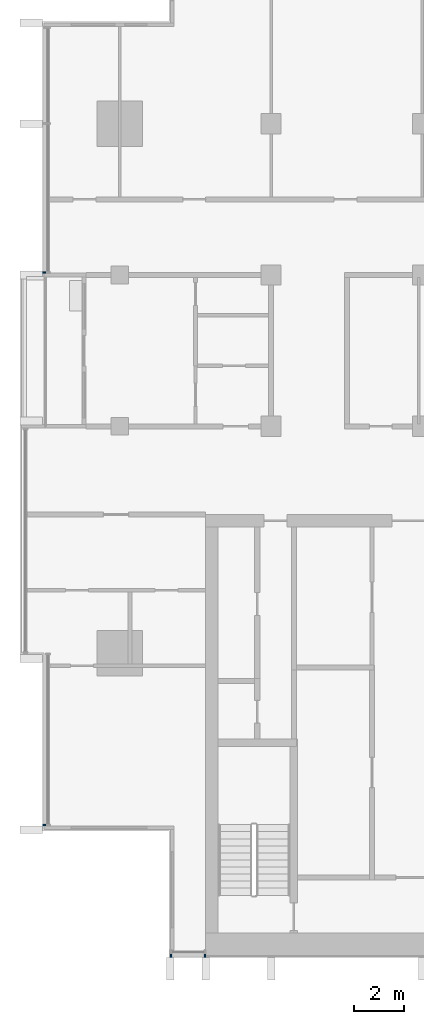
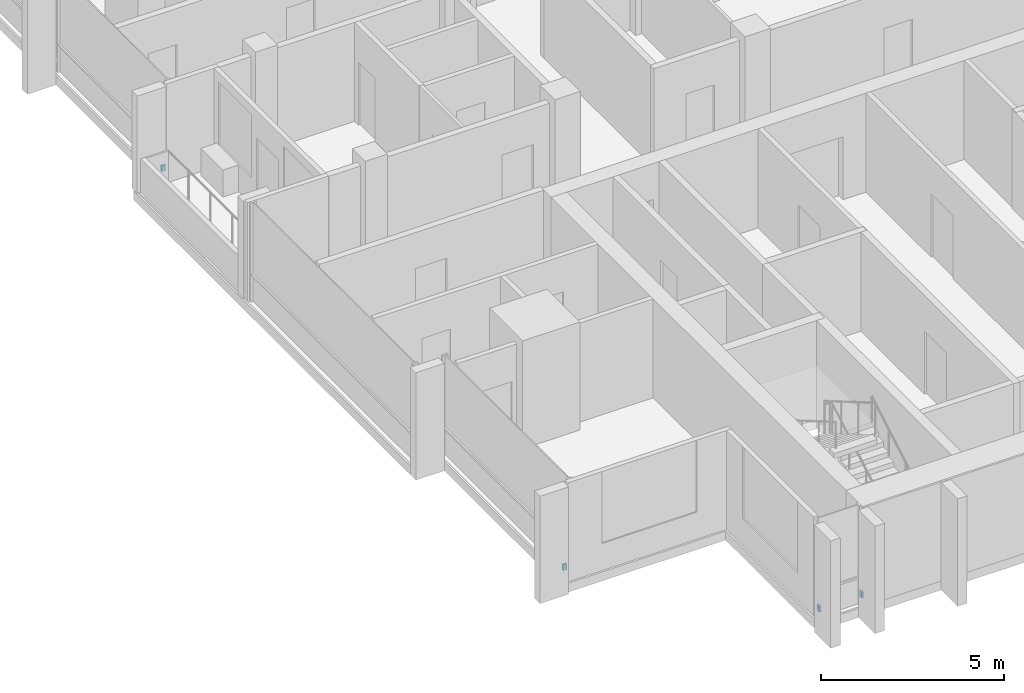
# One storey, part 11 of 15: 4 discrete accessories.
"""IFC4 building model written with IfcOpenShell, lengths in metres."""

from ifc_helpers import new_model, si_unit, direction, frame, origin, origin_2d, place, context, subcontext, project, spatial, rectangle, extrude, material, type_object, element, save


model = new_model("IFC4")

# Units and contexts
model_context = context("Model", 3, precision=1e-05, world=origin(), true_north=direction((0.0, 1.0)))
body_context = subcontext(model_context, "Body", "Model", "MODEL_VIEW")
ifc_project = project(units=[si_unit("LENGTHUNIT", "METRE"), si_unit("AREAUNIT", "SQUARE_METRE"), si_unit("VOLUMEUNIT", "CUBIC_METRE"), si_unit("PLANEANGLEUNIT", "RADIAN"), si_unit("MASSUNIT", "GRAM", prefix="KILO")], contexts=[model_context])

# Site, building, storey
site_placement = place(None, origin())
site = spatial("IfcSite", under=ifc_project, at=site_placement, CompositionType="ELEMENT")
building_placement = place(site_placement, origin())
building = spatial("IfcBuilding", under=site, at=building_placement, Name="Finial Court Residences", CompositionType="ELEMENT")
storey_placement = place(building_placement, frame((0.0, 0.0, 266.300048828125)))
storey = spatial("IfcBuildingStorey", under=building, at=storey_placement, Name="L67", CompositionType="ELEMENT", Elevation=266.300048828125)

# Discrete accessories
ifc_material = material(Name="Stainless steel 316", Category="steel")
discrete_accessory_type = type_object("IfcDiscreteAccessoryType", Name="Fin bracket, stainless steel 60 x 122 x 200", PredefinedType="BRACKET", material=ifc_material)
for number, where, z_axis, x_axis, name in (
    (1, (-14.469970703125, -25.498779296875, 0.2998046875), (0.0, 0.0, 1.0), (1.0, 0.0, 0.0), "E-L67-FIN-S13-BRK"),
    (2, (-13.1298828125, -25.498779296875, 0.2998046875), (0.0, 0.0, 1.0), (1.0, 0.0, 0.0), "E-L67-FIN-S14-BRK"),
):
    element("IfcDiscreteAccessory", number, at=place(storey_placement, frame(where, z_axis=z_axis, x_axis=x_axis)), inside=storey, type_object=discrete_accessory_type, Name=name, PredefinedType="BRACKET", context=body_context, shape_type="SweptSolid", body=[
        extrude(rectangle(XDim=0.06005859375, YDim=0.12255859375, at=origin_2d()), origin(), (0.0, 0.0, 1.0), 0.199951171875),
    ])
for number, where, z_axis, x_axis, name in (
    (3, (-19.498779296875, -20.320068359375, 0.2998046875), (0.0, 0.0, 1.0), (1.0, 0.0, 0.0), "E-L67-FIN-W21-BRK"),
    (4, (-19.498779296875, 1.60498046875, 0.2998046875), (0.0, 0.0, 1.0), (1.0, 0.0, 0.0), "E-L67-FIN-W24-BRK"),
):
    element("IfcDiscreteAccessory", number, at=place(storey_placement, frame(where, z_axis=z_axis, x_axis=x_axis)), inside=storey, type_object=discrete_accessory_type, Name=name, PredefinedType="BRACKET", context=body_context, shape_type="SweptSolid", body=[
        extrude(rectangle(XDim=0.12255859375, YDim=0.06005859375, at=origin_2d()), origin(), (0.0, 0.0, 1.0), 0.199951171875),
    ])

save(model, "model.ifc")
